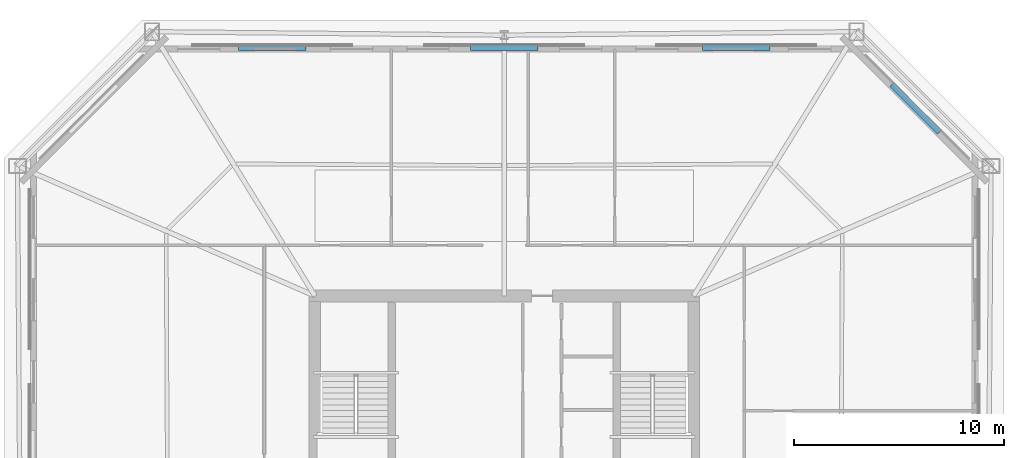
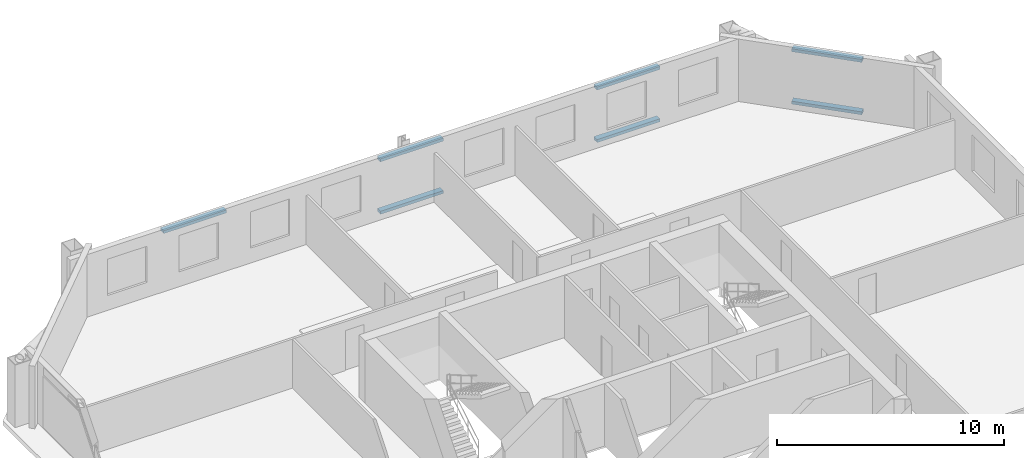
# One storey, part 5 of 7: 7 discrete accessories.
"""IFC4 building model written with IfcOpenShell, lengths in metres."""

from ifc_helpers import new_model, si_unit, direction, frame, origin, origin_2d, place, context, subcontext, project, spatial, rectangle, extrude, material, type_object, element, save


model = new_model("IFC4")

# Units and contexts
model_context = context("Model", 3, precision=1e-05, world=origin(), true_north=direction((0.0, 1.0)))
body_context = subcontext(model_context, "Body", "Model", "MODEL_VIEW")
ifc_project = project(units=[si_unit("LENGTHUNIT", "METRE"), si_unit("AREAUNIT", "SQUARE_METRE"), si_unit("VOLUMEUNIT", "CUBIC_METRE"), si_unit("PLANEANGLEUNIT", "RADIAN"), si_unit("MASSUNIT", "GRAM", prefix="KILO")], contexts=[model_context])

# Site, building, storey
site_placement = place(None, origin())
site = spatial("IfcSite", under=ifc_project, at=site_placement, CompositionType="ELEMENT")
building_placement = place(site_placement, origin())
building = spatial("IfcBuilding", under=site, at=building_placement, Name="Caelvoria Tower", CompositionType="ELEMENT")
storey_placement = place(building_placement, frame((0.0, 0.0, 177.0)))
storey = spatial("IfcBuildingStorey", under=building, at=storey_placement, Name="L46", CompositionType="ELEMENT", Elevation=177.0)

# Discrete accessories
ifc_material = material(Name="Anodised Bronze Stainless Bracket", Category="bronze")
discrete_accessory_type = type_object("IfcDiscreteAccessoryType", Name="Solar Screen Outrigger Support Bracket", PredefinedType="BRACKET", material=ifc_material)
for number, where, z_axis, x_axis, name in (
    (1, (65.55859375, 48.918701171875, 0.240234375), (0.0, 0.0, 1.0), (-0.707106781187, 0.707106781187, 0.0), "Solar Screen Bracket L46-E3-00"),
    (2, (65.55859375, 48.918701171875, 3.06005859375), (0.0, 0.0, 1.0), (-0.707106781187, 0.707106781187, 0.0), "Upper Screen Band Bracket L46-E3-00"),
    (3, (57.026611328125, 51.81689453125, 0.240234375), (0.0, 0.0, 1.0), (-1.0, 0.0, 0.0), "Solar Screen Bracket L46-E4-00"),
    (4, (57.026611328125, 51.81689453125, 3.06005859375), (0.0, 0.0, 1.0), (-1.0, 0.0, 0.0), "Upper Screen Band Bracket L46-E4-00"),
    (5, (46.0, 51.81689453125, 0.240234375), (0.0, 0.0, 1.0), (-1.0, 0.0, 0.0), "Solar Screen Bracket L46-E4-01"),
    (6, (46.0, 51.81689453125, 3.06005859375), (0.0, 0.0, 1.0), (-1.0, 0.0, 0.0), "Upper Screen Band Bracket L46-E4-01"),
    (7, (34.973388671875, 51.81689453125, 3.06005859375), (0.0, 0.0, 1.0), (-1.0, 0.0, 0.0), "Upper Screen Band Bracket L46-E4-02"),
):
    element("IfcDiscreteAccessory", number, at=place(storey_placement, frame(where, z_axis=z_axis, x_axis=x_axis)), inside=storey, type_object=discrete_accessory_type, Name=name, PredefinedType="BRACKET", context=body_context, shape_type="SweptSolid", body=[
        extrude(rectangle(XDim=3.199951171875, YDim=0.280029296875, at=origin_2d()), origin(), (0.0, 0.0, 1.0), 0.159912109375),
    ])

save(model, "model.ifc")
